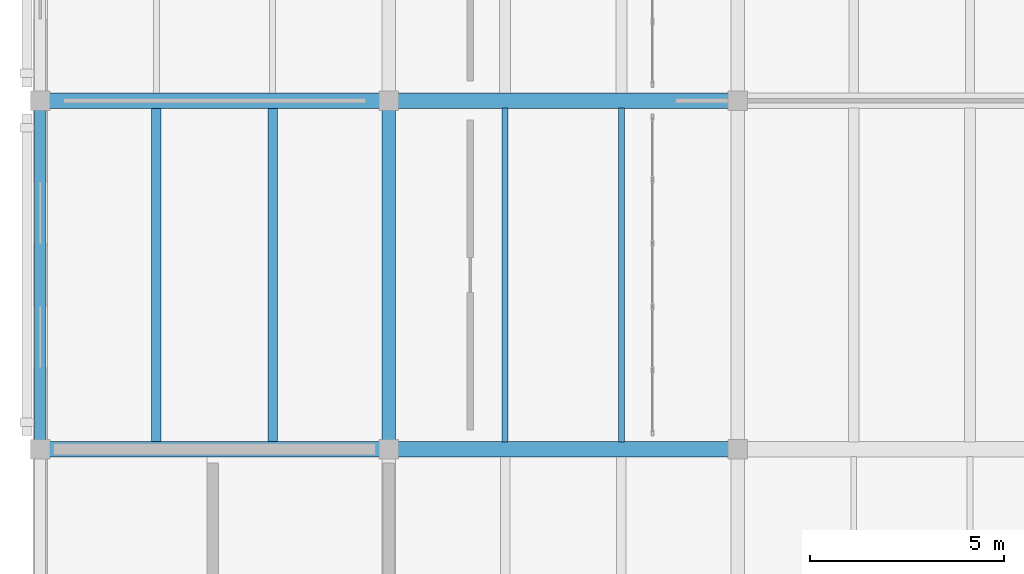
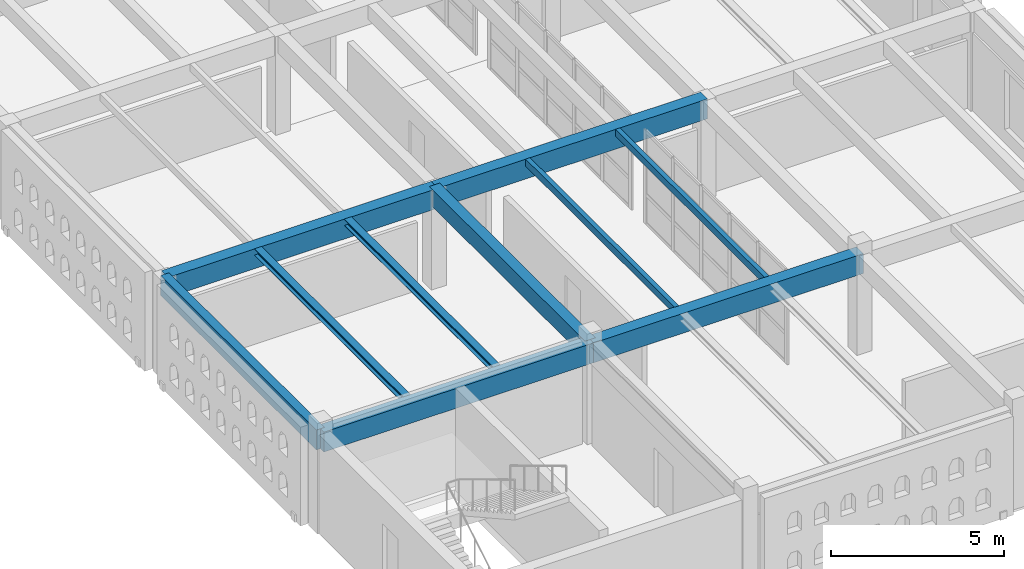
# One storey, part 5 of 156: 10 beams.
"""IFC4 building model written with IfcOpenShell, lengths in metres."""

from ifc_helpers import new_model, si_unit, direction, frame, origin, origin_2d, place, context, subcontext, project, spatial, rectangle, hollow_rectangle, i_section, extrude, material, material_profile, profile_set, type_object, element, save


model = new_model("IFC4")

# Units and contexts
model_context = context("Model", 3, precision=1e-05, world=origin(), true_north=direction((0.0, 1.0)))
body_context = subcontext(model_context, "Body", "Model", "MODEL_VIEW")
ifc_project = project(units=[si_unit("LENGTHUNIT", "METRE"), si_unit("AREAUNIT", "SQUARE_METRE"), si_unit("VOLUMEUNIT", "CUBIC_METRE"), si_unit("PLANEANGLEUNIT", "RADIAN"), si_unit("MASSUNIT", "GRAM", prefix="KILO")], contexts=[model_context])

# Site, building, storey
site_placement = place(None, origin())
site = spatial("IfcSite", under=ifc_project, at=site_placement, CompositionType="ELEMENT")
building_placement = place(site_placement, origin())
building = spatial("IfcBuilding", under=site, at=building_placement, Name="Ornek Quay Market", CompositionType="ELEMENT")
storey_placement = place(building_placement, frame((0.0, 0.0, 4.5)))
storey = spatial("IfcBuildingStorey", under=building, at=storey_placement, Name="L01", CompositionType="ELEMENT", Elevation=4.5)

# Beams
ifc_material_1 = material(Name="Concrete C35/45", Category="concrete")
ifc_material_profile_1 = material_profile(ifc_material_1, rectangle(XDim=0.35009765625, YDim=0.60009765625, at=origin_2d()), Name="RC 350x600", Category="concrete")
ifc_profile_set_1 = profile_set([ifc_material_profile_1], Name="Concrete C35/45")
beam_type_1 = type_object("IfcBeamType", Name="BM-RF-350x600", PredefinedType="BEAM", material=ifc_profile_set_1)
beam_1_placement = place(storey_placement, frame((9.0, 29.0, 3.179931640625), z_axis=(0.0, 1.0, 0.0), x_axis=(-1.0, 0.0, 0.0)))
element("IfcBeam", 1, at=beam_1_placement, inside=storey, type_object=beam_type_1, Name="Primary beam B-RF1-002", PredefinedType="BEAM", context=body_context, shape_type="SweptSolid", body=[
    extrude(rectangle(XDim=0.35009765625, YDim=0.60009765625, at=origin_2d()), origin(), (0.0, 0.0, 1.0), 9.0),
])
ifc_material_2 = material(Name="Steel S355", Category="steel")
ifc_material_profile_2 = material_profile(ifc_material_2, hollow_rectangle(XDim=0.14990234375, YDim=0.25, WallThickness=0.010009765625, at=origin_2d()), Name="RHS 250x150x10", Category="steel")
ifc_profile_set_2 = profile_set([ifc_material_profile_2], Name="Steel S355")
beam_type_2 = type_object("IfcBeamType", Name="BM-RHS-RHS250x150x10", PredefinedType="BEAM", material=ifc_profile_set_2)
for number, where, z_axis, x_axis, name in (
    (2, (12.0, 29.19189453125, 3.35498046875), (0.0, 1.0, 0.0), (-1.0, 0.0, 0.0), "Secondary joist SR-05-003"),
    (3, (15.0, 29.19189453125, 3.35498046875), (0.0, 1.0, 0.0), (-1.0, 0.0, 0.0), "Secondary joist SR-05-004"),
):
    element("IfcBeam", number, at=place(storey_placement, frame(where, z_axis=z_axis, x_axis=x_axis)), inside=storey, type_object=beam_type_2, Name=name, PredefinedType="BEAM", context=body_context, shape_type="SweptSolid", body=[
        extrude(hollow_rectangle(XDim=0.14990234375, YDim=0.25, WallThickness=0.010009765625, at=origin_2d()), origin(), (0.0, 0.0, 1.0), 8.6162109375),
    ])
ifc_material_profile_3 = material_profile(ifc_material_1, rectangle(XDim=0.280029296875, YDim=0.699951171875, at=origin_2d()), Name="RC 280x700", Category="concrete")
ifc_profile_set_3 = profile_set([ifc_material_profile_3], Name="Concrete C35/45")
beam_type_3 = type_object("IfcBeamType", Name="BM-SPN-280x700", PredefinedType="SPANDREL", material=ifc_profile_set_3)
beam_2_placement = place(storey_placement, frame((0.0, 29.0, 3.1298828125), z_axis=(0.0, 1.0, 0.0), x_axis=(-1.0, 0.0, 0.0)))
element("IfcBeam", 4, at=beam_2_placement, inside=storey, type_object=beam_type_3, Name="Primary beam B-SP2-008", PredefinedType="SPANDREL", context=body_context, shape_type="SweptSolid", body=[
    extrude(rectangle(XDim=0.280029296875, YDim=0.699951171875, at=origin_2d()), origin(), (0.0, 0.0, 1.0), 9.0),
])
ifc_material_profile_4 = material_profile(ifc_material_2, i_section(OverallWidth=0.239990234375, OverallDepth=0.22998046875, WebThickness=0.007568359375, FlangeThickness=0.011962890625, FilletRadius=0.02099609375, at=origin_2d()), Name="HEA 240", Category="steel")
ifc_profile_set_4 = profile_set([ifc_material_profile_4], Name="Steel S355")
beam_type_4 = type_object("IfcBeamType", Name="BM-STL-HEA240", PredefinedType="BEAM", material=ifc_profile_set_4)
for number, where, z_axis, x_axis, name in (
    (5, (3.0, 29.19189453125, 3.364990234375), (0.0, 1.0, 0.0), (-1.0, 0.0, 0.0), "Secondary joist SB-14-001"),
    (6, (6.0, 29.19189453125, 3.364990234375), (0.0, 1.0, 0.0), (-1.0, 0.0, 0.0), "Secondary joist SB-14-002"),
):
    element("IfcBeam", number, at=place(storey_placement, frame(where, z_axis=z_axis, x_axis=x_axis)), inside=storey, type_object=beam_type_4, Name=name, PredefinedType="BEAM", context=body_context, shape_type="SweptSolid", body=[
        extrude(i_section(OverallWidth=0.239990234375, OverallDepth=0.22998046875, WebThickness=0.007568359375, FlangeThickness=0.011962890625, FilletRadius=0.02099609375, at=origin_2d()), origin(), (0.0, 0.0, 1.0), 8.6162109375),
    ])
ifc_material_profile_5 = material_profile(ifc_material_1, rectangle(XDim=0.39990234375, YDim=0.699951171875, at=origin_2d()), Name="RC 400x700", Category="concrete")
ifc_profile_set_5 = profile_set([ifc_material_profile_5], Name="Concrete C35/45")
beam_type_5 = type_object("IfcBeamType", Name="BM-WW-400x700", PredefinedType="BEAM", material=ifc_profile_set_5)
for number, where, z_axis, x_axis, name in (
    (7, (0.0, 29.0, 3.1298828125), (1.0, 0.0, 0.0), (0.0, 1.0, 0.0), "Primary beam B-WW1-048"),
    (8, (9.0, 29.0, 3.1298828125), (1.0, 0.0, 0.0), (0.0, 1.0, 0.0), "Primary beam B-WW1-049"),
    (9, (0.0, 38.0, 3.1298828125), (1.0, 0.0, 0.0), (0.0, 1.0, 0.0), "Primary beam B-WW1-051"),
    (10, (9.0, 38.0, 3.1298828125), (1.0, 0.0, 0.0), (0.0, 1.0, 0.0), "Primary beam B-WW1-052"),
):
    element("IfcBeam", number, at=place(storey_placement, frame(where, z_axis=z_axis, x_axis=x_axis)), inside=storey, type_object=beam_type_5, Name=name, PredefinedType="BEAM", context=body_context, shape_type="SweptSolid", body=[
        extrude(rectangle(XDim=0.39990234375, YDim=0.699951171875, at=origin_2d()), origin(), (0.0, 0.0, 1.0), 9.0),
    ])

save(model, "model.ifc")
